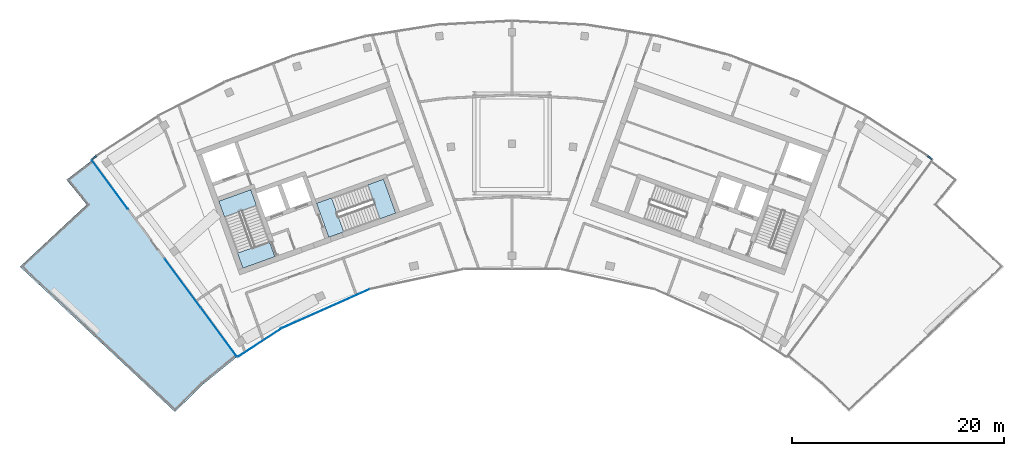
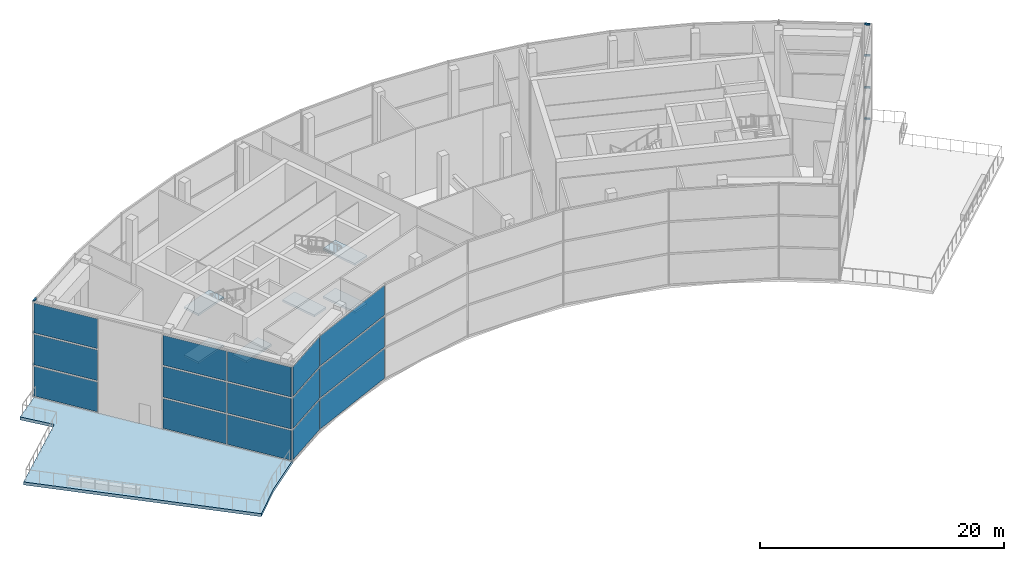
# One storey, part 9 of 20: 15 plates, 8 members, 7 slabs, 5 elements without a shape of their own.
"""IFC4 building model written with IfcOpenShell, lengths in metres."""

from ifc_helpers import new_model, si_unit, direction, frame, origin, origin_2d, place, context, subcontext, project, spatial, polyline, rectangle, outline, extrude, material, layer, layer_set, material_profile, profile_set, type_object, element, aggregate, save


model = new_model("IFC4")

# Units and contexts
model_context = context("Model", 3, precision=1e-05, world=origin(), true_north=direction((0.0, 1.0)))
body_context = subcontext(model_context, "Body", "Model", "MODEL_VIEW")
ifc_project = project(units=[si_unit("LENGTHUNIT", "METRE"), si_unit("AREAUNIT", "SQUARE_METRE"), si_unit("VOLUMEUNIT", "CUBIC_METRE"), si_unit("PLANEANGLEUNIT", "RADIAN"), si_unit("MASSUNIT", "GRAM", prefix="KILO")], contexts=[model_context])

# Site, building, storey
site_placement = place(None, origin())
site = spatial("IfcSite", under=ifc_project, at=site_placement, CompositionType="ELEMENT")
building_placement = place(site_placement, origin())
building = spatial("IfcBuilding", under=site, at=building_placement, Name="Stone Belt Terrace Tower", CompositionType="ELEMENT")
storey_placement = place(building_placement, frame((0.0, 0.0, 323.0)))
storey = spatial("IfcBuildingStorey", under=building, at=storey_placement, Name="L78", CompositionType="ELEMENT", Elevation=323.0)

# Curtain wall, members
ifc_material_1 = material(Name="Aluminium 6063-T6 anodised frame", Category="aluminium")
ifc_layer_1 = layer(ifc_material_1, 0.14990234375)
ifc_layer_set_1 = layer_set([ifc_layer_1], Name="CW-E conservatory and damper hall curtain wall")
curtain_wall_type = type_object("IfcCurtainWallType", Name="CW-E conservatory and damper hall curtain wall", PredefinedType="NOTDEFINED", material=ifc_layer_set_1)
curtain_wall_1_placement = place(storey_placement, origin())
curtain_wall_1 = element("IfcCurtainWall", 1, at=curtain_wall_1_placement, inside=storey, type_object=curtain_wall_type, Name="CW-E convex face L78", PredefinedType="NOTDEFINED")
ifc_material_profile = material_profile(ifc_material_1, rectangle(XDim=0.14990234375, YDim=0.14990234375, at=origin_2d()), Name="Aluminium 6063-T6 150x150")
ifc_profile_set = profile_set([ifc_material_profile], Name="Aluminium 6063-T6 anodised frame")
member_type = type_object("IfcMemberType", Name="CW-E transom 150 x 150", PredefinedType="USERDEFINED", material=ifc_profile_set)
member_1_placement = place(storey_placement, frame((39.55859375, 53.547607421875, 0.074951171875), z_axis=(-0.806722492512, 0.590930469747, 0.0), x_axis=(-0.590930469747, -0.806722492512, 0.0)))
member_1 = element("IfcMember", 2, at=member_1_placement, type_object=member_type, Name="CW-E transom 1.1", ObjectType="TRANSOM", PredefinedType="USERDEFINED", context=body_context, shape_type="SweptSolid", body=[
    extrude(rectangle(XDim=0.14990234375, YDim=0.14990234375, at=origin_2d()), origin(), (0.0, 0.0, 1.0), 0.48876953125),
])
member_2_placement = place(storey_placement, frame((39.55859375, 53.547607421875, 3.199951171875), z_axis=(-0.806722492512, 0.590930469747, 0.0), x_axis=(-0.590930469747, -0.806722492512, 0.0)))
member_2 = element("IfcMember", 3, at=member_2_placement, type_object=member_type, Name="CW-E transom 1.2", ObjectType="TRANSOM", PredefinedType="USERDEFINED", context=body_context, shape_type="SweptSolid", body=[
    extrude(rectangle(XDim=0.14990234375, YDim=0.14990234375, at=origin_2d()), origin(), (0.0, 0.0, 1.0), 0.48876953125),
])
member_3_placement = place(storey_placement, frame((39.55859375, 53.547607421875, 6.39990234375), z_axis=(-0.806722492512, 0.590930469747, 0.0), x_axis=(-0.590930469747, -0.806722492512, 0.0)))
member_3 = element("IfcMember", 4, at=member_3_placement, type_object=member_type, Name="CW-E transom 1.3", ObjectType="TRANSOM", PredefinedType="USERDEFINED", context=body_context, shape_type="SweptSolid", body=[
    extrude(rectangle(XDim=0.14990234375, YDim=0.14990234375, at=origin_2d()), origin(), (0.0, 0.0, 1.0), 0.48876953125),
])
member_4_placement = place(storey_placement, frame((39.55859375, 53.547607421875, 9.52490234375), z_axis=(-0.806722492512, 0.590930469747, 0.0), x_axis=(-0.590930469747, -0.806722492512, 0.0)))
member_4 = element("IfcMember", 5, at=member_4_placement, type_object=member_type, Name="CW-E transom 1.4", ObjectType="TRANSOM", PredefinedType="USERDEFINED", context=body_context, shape_type="SweptSolid", body=[
    extrude(rectangle(XDim=0.14990234375, YDim=0.14990234375, at=origin_2d()), origin(), (0.0, 0.0, 1.0), 0.48876953125),
])
member_5_placement = place(storey_placement, frame((-39.164306640625, 53.83642578125, 0.074951171875), z_axis=(-0.806722492512, -0.590930469747, 0.0), x_axis=(0.590930469747, -0.806722492512, 0.0)))
member_5 = element("IfcMember", 6, at=member_5_placement, type_object=member_type, Name="CW-E transom 14.1", ObjectType="TRANSOM", PredefinedType="USERDEFINED", context=body_context, shape_type="SweptSolid", body=[
    extrude(rectangle(XDim=0.14990234375, YDim=0.14990234375, at=origin_2d()), origin(), (0.0, 0.0, 1.0), 0.48876953125),
])
member_6_placement = place(storey_placement, frame((-39.164306640625, 53.83642578125, 3.199951171875), z_axis=(-0.806722492512, -0.590930469747, 0.0), x_axis=(0.590930469747, -0.806722492512, 0.0)))
member_6 = element("IfcMember", 7, at=member_6_placement, type_object=member_type, Name="CW-E transom 14.2", ObjectType="TRANSOM", PredefinedType="USERDEFINED", context=body_context, shape_type="SweptSolid", body=[
    extrude(rectangle(XDim=0.14990234375, YDim=0.14990234375, at=origin_2d()), origin(), (0.0, 0.0, 1.0), 0.48876953125),
])
member_7_placement = place(storey_placement, frame((-39.164306640625, 53.83642578125, 6.39990234375), z_axis=(-0.806722492512, -0.590930469747, 0.0), x_axis=(0.590930469747, -0.806722492512, 0.0)))
member_7 = element("IfcMember", 8, at=member_7_placement, type_object=member_type, Name="CW-E transom 14.3", ObjectType="TRANSOM", PredefinedType="USERDEFINED", context=body_context, shape_type="SweptSolid", body=[
    extrude(rectangle(XDim=0.14990234375, YDim=0.14990234375, at=origin_2d()), origin(), (0.0, 0.0, 1.0), 0.48876953125),
])
member_8_placement = place(storey_placement, frame((-39.164306640625, 53.83642578125, 9.52490234375), z_axis=(-0.806722492512, -0.590930469747, 0.0), x_axis=(0.590930469747, -0.806722492512, 0.0)))
member_8 = element("IfcMember", 9, at=member_8_placement, type_object=member_type, Name="CW-E transom 14.4", ObjectType="TRANSOM", PredefinedType="USERDEFINED", context=body_context, shape_type="SweptSolid", body=[
    extrude(rectangle(XDim=0.14990234375, YDim=0.14990234375, at=origin_2d()), origin(), (0.0, 0.0, 1.0), 0.48876953125),
])
aggregate(curtain_wall_1, [member_1, member_2, member_3, member_4, member_5, member_6, member_7, member_8])

# Curtain wall, plates
curtain_wall_2_placement = place(storey_placement, origin())
curtain_wall_2 = element("IfcCurtainWall", 10, at=curtain_wall_2_placement, inside=storey, type_object=curtain_wall_type, Name="CW-E concave face L78", PredefinedType="NOTDEFINED")
ifc_material_2 = material(Name="Clear double glazed unit")
ifc_layer_2 = layer(ifc_material_2, 0.035888671875)
ifc_layer_set_2 = layer_set([ifc_layer_2], Name="CW-E glass panel 36")
plate_type = type_object("IfcPlateType", Name="CW-E glass panel 36", PredefinedType="CURTAIN_PANEL", material=ifc_layer_set_2)
plate_1_placement = place(storey_placement, frame((-23.777099609375, 36.25439453125, 0.14990234375), z_axis=(0.0, 0.0, 1.0), x_axis=(0.836472949336, 0.548008216206, 0.0)))
plate_1 = element("IfcPlate", 11, at=plate_1_placement, type_object=plate_type, Name="CW-E panel 1.1", PredefinedType="CURTAIN_PANEL", context=body_context, shape_type="SweptSolid", body=[
    extrude(rectangle(XDim=4.841064453125, YDim=0.035888671875, at=origin_2d()), origin(), (0.0, 0.0, 1.0), 2.97509765625),
])
plate_2_placement = place(storey_placement, frame((-23.777099609375, 36.25439453125, 3.27490234375), z_axis=(0.0, 0.0, 1.0), x_axis=(0.836472949336, 0.548008216206, 0.0)))
plate_2 = element("IfcPlate", 12, at=plate_2_placement, type_object=plate_type, Name="CW-E panel 1.2", PredefinedType="CURTAIN_PANEL", context=body_context, shape_type="SweptSolid", body=[
    extrude(rectangle(XDim=4.841064453125, YDim=0.035888671875, at=origin_2d()), origin(), (0.0, 0.0, 1.0), 3.050048828125),
])
plate_3_placement = place(storey_placement, frame((-23.777099609375, 36.25439453125, 6.474853515625), z_axis=(0.0, 0.0, 1.0), x_axis=(0.836472949336, 0.548008216206, 0.0)))
plate_3 = element("IfcPlate", 13, at=plate_3_placement, type_object=plate_type, Name="CW-E panel 1.3", PredefinedType="CURTAIN_PANEL", context=body_context, shape_type="SweptSolid", body=[
    extrude(rectangle(XDim=4.841064453125, YDim=0.035888671875, at=origin_2d()), origin(), (0.0, 0.0, 1.0), 2.97509765625),
])
plate_4_placement = place(storey_placement, frame((-17.567138671875, 39.452392578125, 0.14990234375), z_axis=(0.0, 0.0, 1.0), x_axis=(0.913545457643, 0.406736643076, 0.0)))
plate_4 = element("IfcPlate", 14, at=plate_4_placement, type_object=plate_type, Name="CW-E panel 2.1", PredefinedType="CURTAIN_PANEL", context=body_context, shape_type="SweptSolid", body=[
    extrude(rectangle(XDim=8.986572265625, YDim=0.035888671875, at=origin_2d()), origin(), (0.0, 0.0, 1.0), 2.97509765625),
])
plate_5_placement = place(storey_placement, frame((-17.567138671875, 39.452392578125, 3.27490234375), z_axis=(0.0, 0.0, 1.0), x_axis=(0.913545457643, 0.406736643076, 0.0)))
plate_5 = element("IfcPlate", 15, at=plate_5_placement, type_object=plate_type, Name="CW-E panel 2.2", PredefinedType="CURTAIN_PANEL", context=body_context, shape_type="SweptSolid", body=[
    extrude(rectangle(XDim=8.986572265625, YDim=0.035888671875, at=origin_2d()), origin(), (0.0, 0.0, 1.0), 3.050048828125),
])
plate_6_placement = place(storey_placement, frame((-17.567138671875, 39.452392578125, 6.474853515625), z_axis=(0.0, 0.0, 1.0), x_axis=(0.913545457643, 0.406736643076, 0.0)))
plate_6 = element("IfcPlate", 16, at=plate_6_placement, type_object=plate_type, Name="CW-E panel 2.3", PredefinedType="CURTAIN_PANEL", context=body_context, shape_type="SweptSolid", body=[
    extrude(rectangle(XDim=8.986572265625, YDim=0.035888671875, at=origin_2d()), origin(), (0.0, 0.0, 1.0), 2.97509765625),
])
aggregate(curtain_wall_2, [plate_1, plate_2, plate_3, plate_4, plate_5, plate_6])

curtain_wall_3_placement = place(storey_placement, origin())
curtain_wall_3 = element("IfcCurtainWall", 17, at=curtain_wall_3_placement, inside=storey, type_object=curtain_wall_type, Name="CW-E end face L78", PredefinedType="NOTDEFINED")
plate_7_placement = place(storey_placement, frame((-37.881103515625, 51.14013671875, 0.14990234375), z_axis=(0.0, 0.0, 1.0), x_axis=(0.594274787545, -0.804262069781, 0.0)))
plate_7 = element("IfcPlate", 18, at=plate_7_placement, type_object=plate_type, Name="CW-E panel 1.1", PredefinedType="CURTAIN_PANEL", context=body_context, shape_type="SweptSolid", body=[
    extrude(rectangle(XDim=5.703857421875, YDim=0.035888671875, at=origin_2d()), origin(), (0.0, 0.0, 1.0), 2.97509765625),
])
plate_8_placement = place(storey_placement, frame((-37.881103515625, 51.14013671875, 3.27490234375), z_axis=(0.0, 0.0, 1.0), x_axis=(0.594274787545, -0.804262069781, 0.0)))
plate_8 = element("IfcPlate", 19, at=plate_8_placement, type_object=plate_type, Name="CW-E panel 1.2", PredefinedType="CURTAIN_PANEL", context=body_context, shape_type="SweptSolid", body=[
    extrude(rectangle(XDim=5.703857421875, YDim=0.035888671875, at=origin_2d()), origin(), (0.0, 0.0, 1.0), 3.050048828125),
])
plate_9_placement = place(storey_placement, frame((-37.881103515625, 51.14013671875, 6.474853515625), z_axis=(0.0, 0.0, 1.0), x_axis=(0.594274787545, -0.804262069781, 0.0)))
plate_9 = element("IfcPlate", 20, at=plate_9_placement, type_object=plate_type, Name="CW-E panel 1.3", PredefinedType="CURTAIN_PANEL", context=body_context, shape_type="SweptSolid", body=[
    extrude(rectangle(XDim=5.703857421875, YDim=0.035888671875, at=origin_2d()), origin(), (0.0, 0.0, 1.0), 2.97509765625),
])
plate_10_placement = place(storey_placement, frame((-31.036865234375, 41.877685546875, 0.14990234375), z_axis=(0.0, 0.0, 1.0), x_axis=(0.594274787545, -0.804262069781, 0.0)))
plate_10 = element("IfcPlate", 21, at=plate_10_placement, type_object=plate_type, Name="CW-E panel 3.1", PredefinedType="CURTAIN_PANEL", context=body_context, shape_type="SweptSolid", body=[
    extrude(rectangle(XDim=5.669921875, YDim=0.035888671875, at=origin_2d()), origin(), (0.0, 0.0, 1.0), 2.97509765625),
])
plate_11_placement = place(storey_placement, frame((-31.036865234375, 41.877685546875, 3.27490234375), z_axis=(0.0, 0.0, 1.0), x_axis=(0.594274787545, -0.804262069781, 0.0)))
plate_11 = element("IfcPlate", 22, at=plate_11_placement, type_object=plate_type, Name="CW-E panel 3.2", PredefinedType="CURTAIN_PANEL", context=body_context, shape_type="SweptSolid", body=[
    extrude(rectangle(XDim=5.669921875, YDim=0.035888671875, at=origin_2d()), origin(), (0.0, 0.0, 1.0), 3.050048828125),
])
plate_12_placement = place(storey_placement, frame((-31.036865234375, 41.877685546875, 6.474853515625), z_axis=(0.0, 0.0, 1.0), x_axis=(0.594274787545, -0.804262069781, 0.0)))
plate_12 = element("IfcPlate", 23, at=plate_12_placement, type_object=plate_type, Name="CW-E panel 3.3", PredefinedType="CURTAIN_PANEL", context=body_context, shape_type="SweptSolid", body=[
    extrude(rectangle(XDim=5.669921875, YDim=0.035888671875, at=origin_2d()), origin(), (0.0, 0.0, 1.0), 2.97509765625),
])
plate_13_placement = place(storey_placement, frame((-27.61083984375, 37.240966796875, 0.14990234375), z_axis=(0.0, 0.0, 1.0), x_axis=(0.594274787545, -0.804262069781, 0.0)))
plate_13 = element("IfcPlate", 24, at=plate_13_placement, type_object=plate_type, Name="CW-E panel 4.1", PredefinedType="CURTAIN_PANEL", context=body_context, shape_type="SweptSolid", body=[
    extrude(rectangle(XDim=5.7001953125, YDim=0.035888671875, at=origin_2d()), origin(), (0.0, 0.0, 1.0), 2.97509765625),
])
plate_14_placement = place(storey_placement, frame((-27.61083984375, 37.240966796875, 3.27490234375), z_axis=(0.0, 0.0, 1.0), x_axis=(0.594274787545, -0.804262069781, 0.0)))
plate_14 = element("IfcPlate", 25, at=plate_14_placement, type_object=plate_type, Name="CW-E panel 4.2", PredefinedType="CURTAIN_PANEL", context=body_context, shape_type="SweptSolid", body=[
    extrude(rectangle(XDim=5.7001953125, YDim=0.035888671875, at=origin_2d()), origin(), (0.0, 0.0, 1.0), 3.050048828125),
])
plate_15_placement = place(storey_placement, frame((-27.61083984375, 37.240966796875, 6.474853515625), z_axis=(0.0, 0.0, 1.0), x_axis=(0.594274787545, -0.804262069781, 0.0)))
plate_15 = element("IfcPlate", 26, at=plate_15_placement, type_object=plate_type, Name="CW-E panel 4.3", PredefinedType="CURTAIN_PANEL", context=body_context, shape_type="SweptSolid", body=[
    extrude(rectangle(XDim=5.7001953125, YDim=0.035888671875, at=origin_2d()), origin(), (0.0, 0.0, 1.0), 2.97509765625),
])
aggregate(curtain_wall_3, [plate_7, plate_8, plate_9, plate_10, plate_11, plate_12, plate_13, plate_14, plate_15])

# Stair, slabs
ifc_material_3 = material(Name="Concrete B40", Category="concrete")
stair_type = type_object("IfcStairType", Name="Exit stair 1500", PredefinedType="HALF_TURN_STAIR", material=ifc_material_3)
stair_1_placement = place(storey_placement, origin())
stair_1 = element("IfcStair", 27, at=stair_1_placement, inside=storey, type_object=stair_type, Name="L78 Exit stair 1 core A", PredefinedType="HALF_TURN_STAIR")
ifc_layer_3 = layer(ifc_material_3, 0.199951171875)
ifc_layer_set_3 = layer_set([ifc_layer_3], Name="Stair landing 200")
slab_type_1 = type_object("IfcSlabType", Name="Stair landing 200", PredefinedType="LANDING", material=ifc_layer_set_3)
slab_1_placement = place(storey_placement, frame((0.0, 0.0, 2.199951171875)))
slab_1 = element("IfcSlab", 28, at=slab_1_placement, type_object=slab_type_1, Name="ST1A landing 1", PredefinedType="LANDING", context=body_context, shape_type="SweptSolid", body=[
    extrude(outline(polyline([(-24.080078125, 49.191162109375), (-24.6083984375, 50.659912109375), (-27.619384765625, 49.576171875), (-27.0908203125, 48.107666015625), (-24.080078125, 49.191162109375)])), origin(), (0.0, 0.0, 1.0), 0.199951171875),
])
slab_2_placement = place(storey_placement, frame((0.0, 0.0, 4.60009765625)))
slab_2 = element("IfcSlab", 29, at=slab_2_placement, type_object=slab_type_1, Name="ST1A landing 2", PredefinedType="LANDING", context=body_context, shape_type="SweptSolid", body=[
    extrude(outline(polyline([(-22.339599609375, 44.355712890625), (-22.847900390625, 45.767822265625), (-25.85888671875, 44.684326171875), (-25.3505859375, 43.27197265625), (-22.339599609375, 44.355712890625)])), origin(), (0.0, 0.0, 1.0), 0.199951171875),
])
slab_3_placement = place(storey_placement, frame((0.0, 0.0, 7.0)))
slab_3 = element("IfcSlab", 30, at=slab_3_placement, type_object=slab_type_1, Name="ST1A landing 3", PredefinedType="LANDING", context=body_context, shape_type="SweptSolid", body=[
    extrude(outline(polyline([(-24.080078125, 49.191162109375), (-24.6083984375, 50.659912109375), (-27.619384765625, 49.576171875), (-27.0908203125, 48.107666015625), (-24.080078125, 49.191162109375)])), origin(), (0.0, 0.0, 1.0), 0.199951171875),
])
aggregate(stair_1, [slab_1, slab_2, slab_3])

stair_2_placement = place(storey_placement, origin())
stair_2 = element("IfcStair", 31, at=stair_2_placement, inside=storey, type_object=stair_type, Name="L78 Exit stair 2 core A", PredefinedType="HALF_TURN_STAIR")
slab_4_placement = place(storey_placement, frame((0.0, 0.0, 2.199951171875)))
slab_4 = element("IfcSlab", 32, at=slab_4_placement, type_object=slab_type_1, Name="ST2A landing 1", PredefinedType="LANDING", context=body_context, shape_type="SweptSolid", body=[
    extrude(outline(polyline([(-12.423095703125, 47.924560546875), (-10.95458984375, 48.453125), (-12.10595703125, 51.652099609375), (-13.574462890625, 51.12353515625), (-12.423095703125, 47.924560546875)])), origin(), (0.0, 0.0, 1.0), 0.199951171875),
])
slab_5_placement = place(storey_placement, frame((0.0, 0.0, 4.60009765625)))
slab_5 = element("IfcSlab", 33, at=slab_5_placement, type_object=slab_type_1, Name="ST2A landing 2", PredefinedType="LANDING", context=body_context, shape_type="SweptSolid", body=[
    extrude(outline(polyline([(-17.2587890625, 46.184326171875), (-15.8466796875, 46.6923828125), (-16.997802734375, 49.8916015625), (-18.41015625, 49.38330078125), (-17.2587890625, 46.184326171875)])), origin(), (0.0, 0.0, 1.0), 0.199951171875),
])
slab_6_placement = place(storey_placement, frame((0.0, 0.0, 7.0)))
slab_6 = element("IfcSlab", 34, at=slab_6_placement, type_object=slab_type_1, Name="ST2A landing 3", PredefinedType="LANDING", context=body_context, shape_type="SweptSolid", body=[
    extrude(outline(polyline([(-12.423095703125, 47.924560546875), (-10.95458984375, 48.453125), (-12.10595703125, 51.652099609375), (-13.574462890625, 51.12353515625), (-12.423095703125, 47.924560546875)])), origin(), (0.0, 0.0, 1.0), 0.199951171875),
])
aggregate(stair_2, [slab_4, slab_5, slab_6])

# Slab
ifc_layer_4 = layer(ifc_material_3, 0.300048828125)
ifc_layer_set_4 = layer_set([ifc_layer_4], Name="Terrace slab 300 B40")
slab_type_2 = type_object("IfcSlabType", Name="Terrace slab 300 B40", PredefinedType="FLOOR", material=ifc_layer_set_4)
slab_7_placement = place(storey_placement, frame((0.0, 0.0, -0.300048828125)))
element("IfcSlab", 35, at=slab_7_placement, inside=storey, type_object=slab_type_2, Name="Terrace slab L78-roof_terrace-1", PredefinedType="FLOOR", context=body_context, shape_type="SweptSolid", body=[
    extrude(outline(polyline([(-31.750732421875, 29.734375), (-29.107177734375, 32.326904296875), (-25.625244140625, 35.146484375), (-25.62744140625, 35.149169921875), (-25.85107421875, 34.9853515625), (-39.511962890625, 53.473388671875), (-41.961669921875, 51.589599609375), (-40.068603515625, 49.26220703125), (-46.348876953125, 43.405517578125), (-31.750732421875, 29.734375)])), origin(), (0.0, 0.0, 1.0), 0.300048828125),
])

save(model, "model.ifc")
